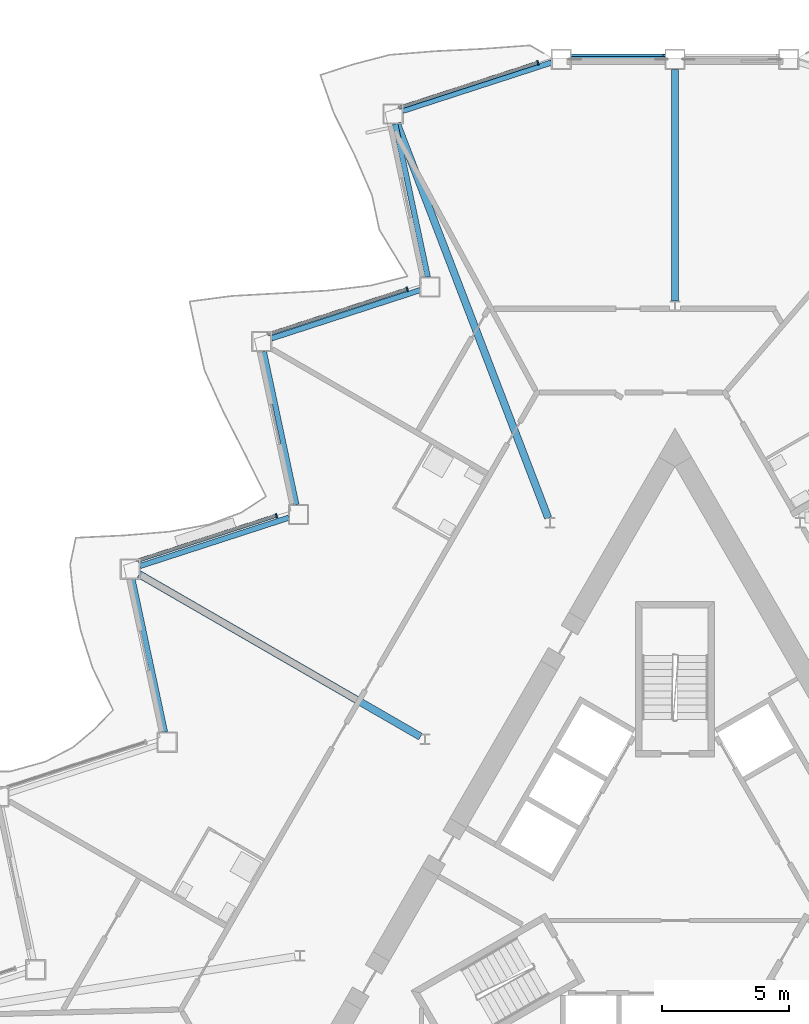
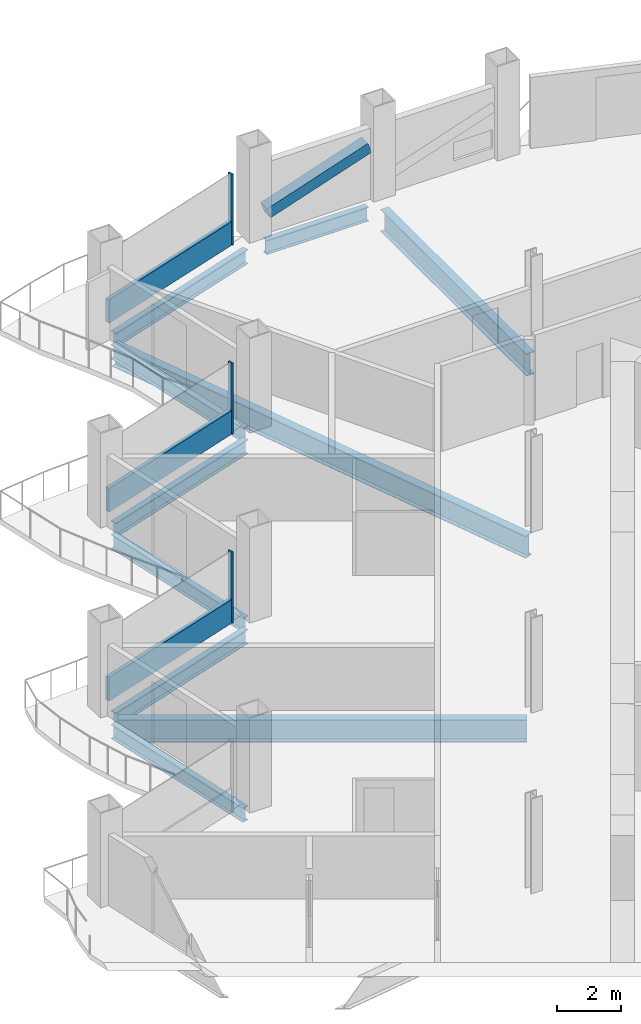
# One storey, part 7 of 22: 10 beams, 7 members, 3 elements without a shape of their own.
"""IFC4 building model written with IfcOpenShell, lengths in metres."""

from ifc_helpers import new_model, si_unit, direction, frame, origin, origin_2d, place, context, subcontext, project, spatial, rectangle, hollow_rectangle, i_section, extrude, material, layer, layer_set, material_profile, profile_set, type_object, element, aggregate, save


model = new_model("IFC4")

# Units and contexts
model_context = context("Model", 3, precision=1e-05, world=origin(), true_north=direction((0.0, 1.0)))
body_context = subcontext(model_context, "Body", "Model", "MODEL_VIEW")
ifc_project = project(units=[si_unit("LENGTHUNIT", "METRE"), si_unit("AREAUNIT", "SQUARE_METRE"), si_unit("VOLUMEUNIT", "CUBIC_METRE"), si_unit("PLANEANGLEUNIT", "RADIAN"), si_unit("MASSUNIT", "GRAM", prefix="KILO")], contexts=[model_context])

# Site, building, storey
site_placement = place(None, origin())
site = spatial("IfcSite", under=ifc_project, at=site_placement, CompositionType="ELEMENT")
building_placement = place(site_placement, origin())
building = spatial("IfcBuilding", under=site, at=building_placement, Name="Cormorant Prow Tower", CompositionType="ELEMENT")
storey_placement = place(building_placement, frame((0.0, 0.0, 190.800048828125)))
storey = spatial("IfcBuildingStorey", under=building, at=storey_placement, Name="L41", CompositionType="ELEMENT", Elevation=190.800048828125)

# Member
ifc_material_1 = material(Name="Structural steel ASTM A500 Gr C", Category="steel")
ifc_material_profile_1 = material_profile(ifc_material_1, hollow_rectangle(XDim=0.406494140625, YDim=0.406494140625, WallThickness=0.01171875, at=origin_2d()), Name="HSS16x16x1/2")
ifc_profile_set_1 = profile_set([ifc_material_profile_1], Name="Structural steel ASTM A500 Gr C")
member_type_1 = type_object("IfcMemberType", Name="Chamfer brace HSS16x16x1/2", PredefinedType="BRACE", material=ifc_profile_set_1)
member_1_placement = place(storey_placement, frame((-4.05322265625, 32.3994140625, 0.739990234375), z_axis=(0.947999999098, 0.0, 0.318270328039), x_axis=(0.0, 1.0, 0.0)))
element("IfcMember", 1, at=member_1_placement, inside=storey, type_object=member_type_1, Name="Chamfer brace BR2 at N01 L41", PredefinedType="BRACE", context=body_context, shape_type="SweptSolid", body=[
    extrude(hollow_rectangle(XDim=0.406494140625, YDim=0.406494140625, WallThickness=0.01171875, at=origin_2d()), origin(), (0.0, 0.0, 1.0), 3.83544921875),
])

# Curtain wall, member
ifc_material_2 = material(Name="Aluminium 6063-T6", Category="aluminium")
ifc_layer = layer(ifc_material_2, 0.179931640625)
ifc_layer_set = layer_set([ifc_layer], Name="Aluminium 6063-T6")
curtain_wall_type = type_object("IfcCurtainWallType", Name="Hotel unitised curtain wall 180", PredefinedType="NOTDEFINED", material=ifc_layer_set)
curtain_wall_1_placement = place(storey_placement, origin())
curtain_wall_1 = element("IfcCurtainWall", 2, at=curtain_wall_1_placement, inside=storey, type_object=curtain_wall_type, Name="Hotel curtain wall WNW00", PredefinedType="NOTDEFINED")
ifc_material_3 = material(Name="Aluminium 6063-T6", Category="aluminium")
ifc_material_profile_2 = material_profile(ifc_material_3, rectangle(XDim=0.179931640625, YDim=0.06005859375, at=origin_2d()), Name="Hotel mullion 60x180")
ifc_profile_set_2 = profile_set([ifc_material_profile_2], Name="Aluminium 6063-T6")
member_type_2 = type_object("IfcMemberType", Name="Hotel mullion 60x180", PredefinedType="MULLION", material=ifc_profile_set_2)
member_2_placement = place(storey_placement, frame((-5.388427734375, 32.26513671875, 0.0), z_axis=(0.0, 0.0, 1.0), x_axis=(0.309016940594, -0.95105653377, 0.0)))
member_2 = element("IfcMember", 3, at=member_2_placement, type_object=member_type_2, Name="Hotel mullion WNW00", PredefinedType="MULLION", context=body_context, shape_type="SweptSolid", body=[
    extrude(rectangle(XDim=0.179931640625, YDim=0.06005859375, at=origin_2d()), origin(), (0.0, 0.0, 1.0), 2.700927734375),
])

curtain_wall_2_placement = place(storey_placement, origin())
curtain_wall_2 = element("IfcCurtainWall", 4, at=curtain_wall_2_placement, inside=storey, type_object=curtain_wall_type, Name="Hotel curtain wall WNW02", PredefinedType="NOTDEFINED")
member_3_placement = place(storey_placement, frame((-10.52685546875, 23.364990234375, 0.0), z_axis=(0.0, 0.0, 1.0), x_axis=(0.309017113905, -0.951056477458, 0.0)))
member_3 = element("IfcMember", 5, at=member_3_placement, type_object=member_type_2, Name="Hotel mullion WNW02", PredefinedType="MULLION", context=body_context, shape_type="SweptSolid", body=[
    extrude(rectangle(XDim=0.179931640625, YDim=0.06005859375, at=origin_2d()), origin(), (0.0, 0.0, 1.0), 2.700927734375),
])

curtain_wall_3_placement = place(storey_placement, origin())
curtain_wall_3 = element("IfcCurtainWall", 6, at=curtain_wall_3_placement, inside=storey, type_object=curtain_wall_type, Name="Hotel curtain wall WNW04", PredefinedType="NOTDEFINED")
member_4_placement = place(storey_placement, frame((-15.66552734375, 14.46484375, 0.0), z_axis=(0.0, 0.0, 1.0), x_axis=(0.309016983088, -0.951056519963, 0.0)))
member_4 = element("IfcMember", 7, at=member_4_placement, type_object=member_type_2, Name="Hotel mullion WNW04", PredefinedType="MULLION", context=body_context, shape_type="SweptSolid", body=[
    extrude(rectangle(XDim=0.179931640625, YDim=0.06005859375, at=origin_2d()), origin(), (0.0, 0.0, 1.0), 2.700927734375),
])

# Member
ifc_material_4 = material(Name="Terracotta", Category="masonry")
ifc_material_profile_3 = material_profile(ifc_material_4, rectangle(XDim=0.139892578125, YDim=0.89990234375, at=origin_2d()), Name="Hotel terracotta spandrel rail 140x900")
ifc_profile_set_3 = profile_set([ifc_material_profile_3], Name="Terracotta")
member_type_3 = type_object("IfcMemberType", Name="Hotel terracotta spandrel rail 140x900", PredefinedType="USERDEFINED", material=ifc_profile_set_3)
member_5_placement = place(storey_placement, frame((-5.4169921875, 32.255859375, 0.449951171875), z_axis=(-0.951059478258, -0.309007878243, 0.0), x_axis=(0.309007878243, -0.951059478258, 0.0)))
member_5 = element("IfcMember", 8, at=member_5_placement, type_object=member_type_3, Name="Hotel spandrel rail WNW00", ObjectType="TRANSOM", PredefinedType="USERDEFINED", context=body_context, shape_type="SweptSolid", body=[
    extrude(rectangle(XDim=0.139892578125, YDim=0.89990234375, at=origin_2d()), origin(), (0.0, 0.0, 1.0), 5.718505859375),
])

aggregate(curtain_wall_1, [member_2, member_5])

member_6_placement = place(storey_placement, frame((-10.555419921875, 23.355712890625, 0.449951171875), z_axis=(-0.951059478258, -0.309007878243, 0.0), x_axis=(0.309007878243, -0.951059478258, 0.0)))
member_6 = element("IfcMember", 9, at=member_6_placement, type_object=member_type_3, Name="Hotel spandrel rail WNW02", ObjectType="TRANSOM", PredefinedType="USERDEFINED", context=body_context, shape_type="SweptSolid", body=[
    extrude(rectangle(XDim=0.139892578125, YDim=0.89990234375, at=origin_2d()), origin(), (0.0, 0.0, 1.0), 5.718505859375),
])

aggregate(curtain_wall_2, [member_3, member_6])

member_7_placement = place(storey_placement, frame((-15.694091796875, 14.45556640625, 0.449951171875), z_axis=(-0.951059478258, -0.309007878243, 0.0), x_axis=(0.309007878243, -0.951059478258, 0.0)))
member_7 = element("IfcMember", 10, at=member_7_placement, type_object=member_type_3, Name="Hotel spandrel rail WNW04", ObjectType="TRANSOM", PredefinedType="USERDEFINED", context=body_context, shape_type="SweptSolid", body=[
    extrude(rectangle(XDim=0.139892578125, YDim=0.89990234375, at=origin_2d()), origin(), (0.0, 0.0, 1.0), 5.718505859375),
])

aggregate(curtain_wall_3, [member_4, member_7])

# Beams
ifc_material_5 = material(Name="Structural steel ASTM A992 Gr 50", Category="steel")
ifc_material_profile_4 = material_profile(ifc_material_5, i_section(OverallWidth=0.29296875, OverallDepth=0.845703125, WebThickness=0.015380859375, FlangeThickness=0.0244140625, at=origin_2d()), Name="W33x141")
ifc_profile_set_4 = profile_set([ifc_material_profile_4], Name="Structural steel ASTM A992 Gr 50")
beam_type_1 = type_object("IfcBeamType", Name="Radial floor beam W33x141", PredefinedType="BEAM", material=ifc_profile_set_4)
beam_1_placement = place(storey_placement, frame((0.0, 22.901611328125, -0.77294921875), z_axis=(0.0, 1.0, 0.0), x_axis=(-1.0, 0.0, 0.0)))
element("IfcBeam", 11, at=beam_1_placement, inside=storey, type_object=beam_type_1, Name="Radial floor beam FB2 1 L41", PredefinedType="BEAM", context=body_context, shape_type="SweptSolid", body=[
    extrude(i_section(OverallWidth=0.29296875, OverallDepth=0.845703125, WebThickness=0.015380859375, FlangeThickness=0.0244140625, at=origin_2d()), origin(), (0.0, 0.0, 1.0), 9.097900390625),
])
beam_2_placement = place(storey_placement, frame((-4.9873046875, 14.376220703125, -0.77294921875), z_axis=(-0.358301123829, 0.933606075742, 0.0), x_axis=(-0.933606075742, -0.358301123829, 0.0)))
element("IfcBeam", 12, at=beam_2_placement, inside=storey, type_object=beam_type_1, Name="Radial floor beam FB2 2 L41", PredefinedType="BEAM", context=body_context, shape_type="SweptSolid", body=[
    extrude(i_section(OverallWidth=0.29296875, OverallDepth=0.845703125, WebThickness=0.015380859375, FlangeThickness=0.0244140625, at=origin_2d()), origin(), (0.0, 0.0, 1.0), 16.604736328125),
])
beam_3_placement = place(storey_placement, frame((-10.0048828125, 5.7763671875, -0.77294921875), z_axis=(-0.866026069776, 0.499998846467, 0.0), x_axis=(-0.499998846467, -0.866026069776, 0.0)))
element("IfcBeam", 13, at=beam_3_placement, inside=storey, type_object=beam_type_1, Name="Radial floor beam FB2 3 L41", PredefinedType="BEAM", context=body_context, shape_type="SweptSolid", body=[
    extrude(i_section(OverallWidth=0.29296875, OverallDepth=0.845703125, WebThickness=0.015380859375, FlangeThickness=0.0244140625, at=origin_2d()), origin(), (0.0, 0.0, 1.0), 12.76904296875),
])
ifc_material_6 = material(Name="Structural steel ASTM A992 Gr 50", Category="steel")
ifc_material_profile_5 = material_profile(ifc_material_6, i_section(OverallWidth=0.2138671875, OverallDepth=0.549072265625, WebThickness=0.0146484375, FlangeThickness=0.023681640625, at=origin_2d()), Name="W21x93")
ifc_profile_set_5 = profile_set([ifc_material_profile_5], Name="Structural steel ASTM A992 Gr 50")
beam_type_2 = type_object("IfcBeamType", Name="Spandrel beam W21x93", PredefinedType="SPANDREL", material=ifc_profile_set_5)
beam_4_placement = place(storey_placement, frame((-0.39990234375, 32.3994140625, -0.62451171875), z_axis=(-1.0, 0.0, 0.0), x_axis=(0.0, -1.0, 0.0)))
element("IfcBeam", 14, at=beam_4_placement, inside=storey, type_object=beam_type_2, Name="Spandrel beam SB2 N01-WNW00 L41", PredefinedType="SPANDREL", context=body_context, shape_type="SweptSolid", body=[
    extrude(i_section(OverallWidth=0.2138671875, OverallDepth=0.549072265625, WebThickness=0.0146484375, FlangeThickness=0.023681640625, at=origin_2d()), origin(), (0.0, 0.0, 1.0), 3.67041015625),
])
beam_5_placement = place(storey_placement, frame((-4.850830078125, 32.27587890625, -0.62451171875), z_axis=(-0.951057696564, -0.309013361859, 0.0), x_axis=(0.309013361859, -0.951057696564, 0.0)))
element("IfcBeam", 15, at=beam_5_placement, inside=storey, type_object=beam_type_2, Name="Spandrel beam SB2 WNW00-WNW01 L41", PredefinedType="SPANDREL", context=body_context, shape_type="SweptSolid", body=[
    extrude(i_section(OverallWidth=0.2138671875, OverallDepth=0.549072265625, WebThickness=0.0146484375, FlangeThickness=0.023681640625, at=origin_2d()), origin(), (0.0, 0.0, 1.0), 6.14990234375),
])
beam_6_placement = place(storey_placement, frame((-10.996826171875, 29.860595703125, -0.62451171875), z_axis=(0.207904811195, -0.978149063018, 0.0), x_axis=(0.978149063018, 0.207904811195, 0.0)))
element("IfcBeam", 16, at=beam_6_placement, inside=storey, type_object=beam_type_2, Name="Spandrel beam SB2 WNW01-WNW02 L41", PredefinedType="SPANDREL", context=body_context, shape_type="SweptSolid", body=[
    extrude(i_section(OverallWidth=0.2138671875, OverallDepth=0.549072265625, WebThickness=0.0146484375, FlangeThickness=0.023681640625, at=origin_2d()), origin(), (0.0, 0.0, 1.0), 6.149658203125),
])
beam_7_placement = place(storey_placement, frame((-10.015625, 23.330322265625, -0.62451171875), z_axis=(-0.951057696564, -0.309013361859, 0.0), x_axis=(0.309013361859, -0.951057696564, 0.0)))
element("IfcBeam", 17, at=beam_7_placement, inside=storey, type_object=beam_type_2, Name="Spandrel beam SB2 WNW02-WNW03 L41", PredefinedType="SPANDREL", context=body_context, shape_type="SweptSolid", body=[
    extrude(i_section(OverallWidth=0.2138671875, OverallDepth=0.549072265625, WebThickness=0.0146484375, FlangeThickness=0.023681640625, at=origin_2d()), origin(), (0.0, 0.0, 1.0), 6.14990234375),
])
beam_8_placement = place(storey_placement, frame((-16.16162109375, 20.9150390625, -0.62451171875), z_axis=(0.207904811195, -0.978149063018, 0.0), x_axis=(0.978149063018, 0.207904811195, 0.0)))
element("IfcBeam", 18, at=beam_8_placement, inside=storey, type_object=beam_type_2, Name="Spandrel beam SB2 WNW03-WNW04 L41", PredefinedType="SPANDREL", context=body_context, shape_type="SweptSolid", body=[
    extrude(i_section(OverallWidth=0.2138671875, OverallDepth=0.549072265625, WebThickness=0.0146484375, FlangeThickness=0.023681640625, at=origin_2d()), origin(), (0.0, 0.0, 1.0), 6.149658203125),
])
beam_9_placement = place(storey_placement, frame((-15.18017578125, 14.384765625, -0.62451171875), z_axis=(-0.951057696564, -0.309013361859, 0.0), x_axis=(0.309013361859, -0.951057696564, 0.0)))
element("IfcBeam", 19, at=beam_9_placement, inside=storey, type_object=beam_type_2, Name="Spandrel beam SB2 WNW04-WNW05 L41", PredefinedType="SPANDREL", context=body_context, shape_type="SweptSolid", body=[
    extrude(i_section(OverallWidth=0.2138671875, OverallDepth=0.549072265625, WebThickness=0.0146484375, FlangeThickness=0.023681640625, at=origin_2d()), origin(), (0.0, 0.0, 1.0), 6.14990234375),
])
beam_10_placement = place(storey_placement, frame((-21.326416015625, 11.969482421875, -0.62451171875), z_axis=(0.207904811195, -0.978149063018, 0.0), x_axis=(0.978149063018, 0.207904811195, 0.0)))
element("IfcBeam", 20, at=beam_10_placement, inside=storey, type_object=beam_type_2, Name="Spandrel beam SB2 WNW05-WNW06 L41", PredefinedType="SPANDREL", context=body_context, shape_type="SweptSolid", body=[
    extrude(i_section(OverallWidth=0.2138671875, OverallDepth=0.549072265625, WebThickness=0.0146484375, FlangeThickness=0.023681640625, at=origin_2d()), origin(), (0.0, 0.0, 1.0), 6.149658203125),
])

save(model, "model.ifc")
